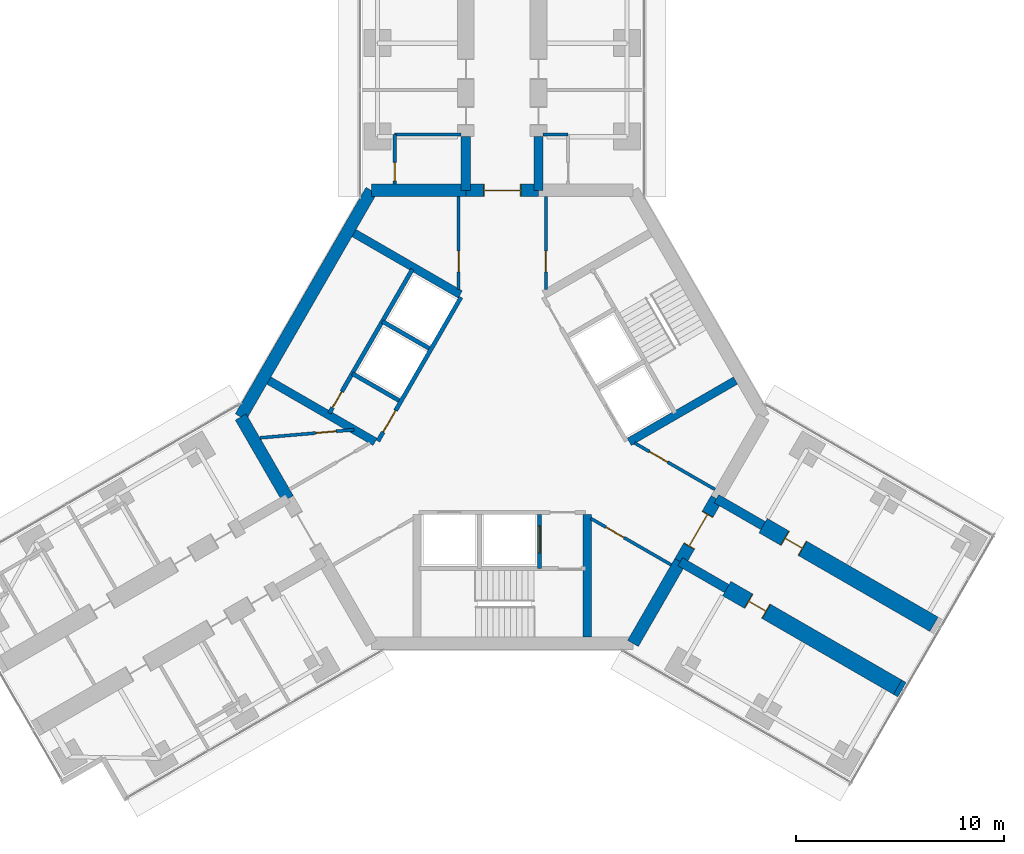
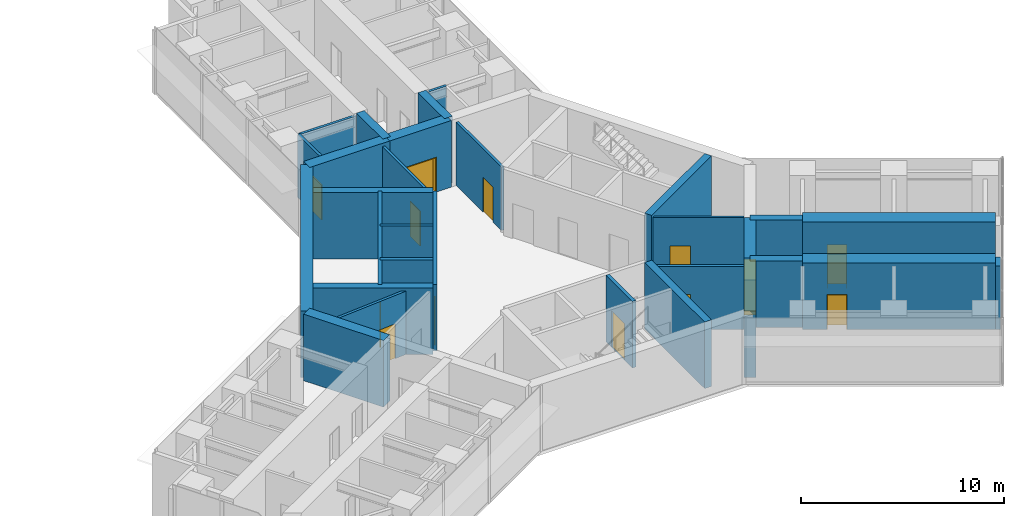
# One storey, part 19 of 22: 30 walls, 13 doors, 13 openings.
"""IFC4 building model written with IfcOpenShell, lengths in metres."""

from ifc_helpers import new_model, si_unit, direction, frame, frame_2d, origin, place, context, subcontext, project, spatial, rectangle, extrude, material, layer, layer_set, type_object, element, fill, save


model = new_model("IFC4")

# Units and contexts
model_context = context("Model", 3, precision=1e-05, world=origin(), true_north=direction((0.0, 1.0)))
body_context = subcontext(model_context, "Body", "Model", "MODEL_VIEW")
ifc_project = project(units=[si_unit("LENGTHUNIT", "METRE"), si_unit("AREAUNIT", "SQUARE_METRE"), si_unit("VOLUMEUNIT", "CUBIC_METRE"), si_unit("PLANEANGLEUNIT", "RADIAN"), si_unit("MASSUNIT", "GRAM", prefix="KILO")], contexts=[model_context])

# Site, building, storey
site_placement = place(None, origin())
site = spatial("IfcSite", under=ifc_project, at=site_placement, CompositionType="ELEMENT")
building_placement = place(site_placement, origin())
building = spatial("IfcBuilding", under=site, at=building_placement, Name="Upepo Twin Towers", CompositionType="ELEMENT")
storey_placement = place(building_placement, frame((0.0, 0.0, 133.5)))
storey = spatial("IfcBuildingStorey", under=building, at=storey_placement, Name="L32", CompositionType="ELEMENT", Elevation=133.5)

# Walls
ifc_material_1 = material(Name="Dense concrete blockwork", Category="masonry")
ifc_layer_1 = layer(ifc_material_1, 0.800048828125)
ifc_layer_set_1 = layer_set([ifc_layer_1], Name="Buttress closer 800, blockwork with fire-stopping to the curtain wall")
wall_type_1 = type_object("IfcWallType", Name="Buttress closer 800, blockwork with fire-stopping to the curtain wall", PredefinedType="PARTITIONING", material=ifc_layer_set_1)
wall_1_placement = place(storey_placement, frame((77.543701171875, -31.015625, 0.0), z_axis=(0.0, 0.0, 1.0), x_axis=(0.865827443207, -0.500342721131, 0.0)))
element("IfcWall", 1, at=wall_1_placement, inside=storey, type_object=wall_type_1, Name="T2 L32 wing C buttress closer R", PredefinedType="PARTITIONING", context=body_context, shape_type="SweptSolid", body=[
    extrude(rectangle(XDim=0.249755859375, YDim=0.800048828125, at=frame_2d((0.125, 0.0))), origin(), (0.0, 0.0, 1.0), 3.800048828125),
])
ifc_material_2 = material(Name="Concrete C60/75", Category="concrete")
ifc_layer_2 = layer(ifc_material_2, 0.449951171875)
ifc_layer_set_2 = layer_set([ifc_layer_2], Name="Concrete C60/75")
wall_type_2 = type_object("IfcWallType", Name="Buttress wall 450 RC", PredefinedType="SHEAR", material=ifc_layer_set_2)
for number, where, z_axis, x_axis, name in (
    (2, (56.75, -7.091552734375, 0.0), (0.0, 0.0, 1.0), (0.0, 1.0, 0.0), "T2 wing A buttress wall L"),
    (3, (60.25, -7.091552734375, 0.0), (0.0, 0.0, 1.0), (0.0, 1.0, 0.0), "T2 wing A buttress wall R"),
):
    element("IfcWall", number, at=place(storey_placement, frame(where, z_axis=z_axis, x_axis=x_axis)), inside=storey, type_object=wall_type_2, Name=name, PredefinedType="SHEAR", context=body_context, shape_type="SweptSolid", body=[
        extrude(rectangle(XDim=2.591552734375, YDim=0.449951171875, at=frame_2d((1.2958984375, 0.0))), origin(), (0.0, 0.0, 1.0), 4.0),
    ])
for number, where, z_axis, x_axis, name in (
    (4, (68.82177734375, -21.938720703125, 0.0), (0.0, 0.0, 1.0), (0.866072649678, -0.499918158782, 0.0), "T2 wing C buttress wall L"),
    (5, (67.07177734375, -24.9697265625, 0.0), (0.0, 0.0, 1.0), (0.866031863473, -0.499988811324, 0.0), "T2 wing C buttress wall R"),
):
    element("IfcWall", number, at=place(storey_placement, frame(where, z_axis=z_axis, x_axis=x_axis)), inside=storey, type_object=wall_type_2, Name=name, PredefinedType="SHEAR", context=body_context, shape_type="SweptSolid", body=[
        extrude(rectangle(XDim=2.591796875, YDim=0.449951171875, at=frame_2d((1.2958984375, 0.0))), origin(), (0.0, 0.0, 1.0), 4.0),
    ])

# Wall, opening, door
ifc_material_3 = material(Name="Concrete C60/75", Category="concrete")
ifc_layer_3 = layer(ifc_material_3, 0.800048828125)
ifc_layer_set_3 = layer_set([ifc_layer_3], Name="Concrete C60/75")
wall_type_3 = type_object("IfcWallType", Name="Buttress wall 800 RC", PredefinedType="SHEAR", material=ifc_layer_set_3)
wall_2_placement = place(storey_placement, frame((71.06640625, -23.234375, 0.0), z_axis=(0.0, 0.0, 1.0), x_axis=(0.86602681393, -0.499997557548, 0.0)))
wall_2 = element("IfcWall", 6, at=wall_2_placement, inside=storey, type_object=wall_type_3, Name="T2 wing C buttress wall L part 2", PredefinedType="SHEAR", context=body_context, shape_type="SweptSolid", body=[
    extrude(rectangle(XDim=9.5, YDim=0.800048828125, at=frame_2d((4.75, 0.0))), origin(), (0.0, 0.0, 1.0), 4.0),
])
opening_1_placement = place(wall_2_placement, frame((1.199951171875, 0.0, 0.0)))
opening_1 = element("IfcOpeningElement", 7, at=opening_1_placement, cuts=wall_2, Name="Opening D1", PredefinedType="OPENING", context=body_context, shape_type="SweptSolid", body=[
    extrude(rectangle(XDim=1.0, YDim=2.10009765625, at=frame_2d((0.5, 1.050048828125))), frame((0.0, 0.409912109375, 0.0), z_axis=(0.0, -1.0, 0.0), x_axis=(1.0, 0.0, 0.0)), (0.0, 0.0, 1.0), 0.820068359375),
])
ifc_material_4 = material(Name="Timber doorset", Category="wood")
door_type_1 = type_object("IfcDoorType", Name="Room door 1000 FD30", OperationType="SINGLE_SWING_LEFT", PredefinedType="DOOR", material=ifc_material_4)
door_1_placement = place(opening_1_placement, origin())
door_1 = element("IfcDoor", 8, at=door_1_placement, inside=storey, type_object=door_type_1, Name="T2 L32 staff office door", OperationType="SINGLE_SWING_LEFT", OverallHeight=2.10009765625, OverallWidth=1.0, PredefinedType="DOOR", context=body_context, shape_type="SweptSolid", body=[
    extrude(rectangle(XDim=0.92, YDim=2.06009765625, at=frame_2d((0.5, 1.030029296875))), frame((0.0, 0.02490234375, 0.0), z_axis=(0.0, -1.0, 0.0), x_axis=(1.0, 0.0, 0.0)), (0.0, 0.0, 1.0), 0.050048828125),
    extrude(rectangle(XDim=0.04, YDim=2.10009765625, at=frame_2d((0.02001953125, 1.050048828125))), frame((0.0, 0.39990234375, 0.0), z_axis=(0.0, -1.0, 0.0), x_axis=(1.0, 0.0, 0.0)), (0.0, 0.0, 1.0), 0.799560546875),
    extrude(rectangle(XDim=0.04, YDim=2.10009765625, at=frame_2d((0.97998046875, 1.050048828125))), frame((0.0, 0.39990234375, 0.0), z_axis=(0.0, -1.0, 0.0), x_axis=(1.0, 0.0, 0.0)), (0.0, 0.0, 1.0), 0.799560546875),
    extrude(rectangle(XDim=0.92, YDim=0.04, at=frame_2d((0.5, 2.080078125))), frame((0.0, 0.39990234375, 0.0), z_axis=(0.0, -1.0, 0.0), x_axis=(1.0, 0.0, 0.0)), (0.0, 0.0, 1.0), 0.799560546875),
])
fill(opening_1, door_1)

wall_3_placement = place(storey_placement, frame((69.31640625, -26.265625, 0.0), z_axis=(0.0, 0.0, 1.0), x_axis=(0.86602681393, -0.499997557548, 0.0)))
wall_3 = element("IfcWall", 9, at=wall_3_placement, inside=storey, type_object=wall_type_3, Name="T2 wing C buttress wall R part 2", PredefinedType="SHEAR", context=body_context, shape_type="SweptSolid", body=[
    extrude(rectangle(XDim=9.5, YDim=0.800048828125, at=frame_2d((4.75, 0.0))), origin(), (0.0, 0.0, 1.0), 4.0),
])
opening_2_placement = place(wall_3_placement, frame((1.199951171875, 0.0, 0.0)))
opening_2 = element("IfcOpeningElement", 10, at=opening_2_placement, cuts=wall_3, Name="Opening D1", PredefinedType="OPENING", context=body_context, shape_type="SweptSolid", body=[
    extrude(rectangle(XDim=1.0, YDim=2.10009765625, at=frame_2d((0.5, 1.050048828125))), frame((0.0, 0.409912109375, 0.0), z_axis=(0.0, -1.0, 0.0), x_axis=(1.0, 0.0, 0.0)), (0.0, 0.0, 1.0), 0.820068359375),
])
door_2_placement = place(opening_2_placement, origin())
door_2 = element("IfcDoor", 11, at=door_2_placement, inside=storey, type_object=door_type_1, Name="T2 L32 staff office door", OperationType="SINGLE_SWING_LEFT", OverallHeight=2.10009765625, OverallWidth=1.0, PredefinedType="DOOR", context=body_context, shape_type="SweptSolid", body=[
    extrude(rectangle(XDim=0.92, YDim=2.06009765625, at=frame_2d((0.5, 1.030029296875))), frame((0.0, 0.02490234375, 0.0), z_axis=(0.0, -1.0, 0.0), x_axis=(1.0, 0.0, 0.0)), (0.0, 0.0, 1.0), 0.050048828125),
    extrude(rectangle(XDim=0.04, YDim=2.10009765625, at=frame_2d((0.02001953125, 1.050048828125))), frame((0.0, 0.39990234375, 0.0), z_axis=(0.0, -1.0, 0.0), x_axis=(1.0, 0.0, 0.0)), (0.0, 0.0, 1.0), 0.799560546875),
    extrude(rectangle(XDim=0.04, YDim=2.10009765625, at=frame_2d((0.97998046875, 1.050048828125))), frame((0.0, 0.39990234375, 0.0), z_axis=(0.0, -1.0, 0.0), x_axis=(1.0, 0.0, 0.0)), (0.0, 0.0, 1.0), 0.799560546875),
    extrude(rectangle(XDim=0.92, YDim=0.04, at=frame_2d((0.5, 2.080078125))), frame((0.0, 0.39990234375, 0.0), z_axis=(0.0, -1.0, 0.0), x_axis=(1.0, 0.0, 0.0)), (0.0, 0.0, 1.0), 0.799560546875),
])
fill(opening_2, door_2)

ifc_material_5 = material(Name="Concrete C60/75", Category="concrete")
ifc_layer_4 = layer(ifc_material_5, 0.60009765625)
ifc_layer_set_4 = layer_set([ifc_layer_4], Name="Concrete C60/75")
wall_type_4 = type_object("IfcWallType", Name="Core wall 600 RC", PredefinedType="SHEAR", material=ifc_layer_set_4)
wall_4_placement = place(storey_placement, frame((60.25, -7.091552734375, 0.0), z_axis=(0.0, 0.0, 1.0), x_axis=(-1.0, 0.0, 0.0)))
wall_4 = element("IfcWall", 12, at=wall_4_placement, inside=storey, type_object=wall_type_4, Name="T2 core wall 000", PredefinedType="SHEAR", context=body_context, shape_type="SweptSolid", body=[
    extrude(rectangle(XDim=3.5, YDim=0.60009765625, at=frame_2d((1.75, 0.0))), origin(), (0.0, 0.0, 1.0), 4.0),
])
opening_3_placement = place(wall_4_placement, frame((0.85009765625, 0.0, 0.0)))
opening_3 = element("IfcOpeningElement", 13, at=opening_3_placement, cuts=wall_4, Name="Opening D2", PredefinedType="OPENING", context=body_context, shape_type="SweptSolid", body=[
    extrude(rectangle(XDim=1.800048828125, YDim=2.10009765625, at=frame_2d((0.89990234375, 1.050048828125))), frame((0.0, 0.31005859375, 0.0), z_axis=(0.0, -1.0, 0.0), x_axis=(1.0, 0.0, 0.0)), (0.0, 0.0, 1.0), 0.6201171875),
])
ifc_material_6 = material(Name="Timber doorset", Category="wood")
door_type_2 = type_object("IfcDoorType", Name="Corridor double door 1800 FD60", OperationType="DOUBLE_DOOR_DOUBLE_SWING", PredefinedType="DOOR", material=ifc_material_6)
door_3_placement = place(opening_3_placement, origin())
door_3 = element("IfcDoor", 14, at=door_3_placement, inside=storey, type_object=door_type_2, Name="T2 L32 wing A corridor door", OperationType="DOUBLE_DOOR_DOUBLE_SWING", OverallHeight=2.10009765625, OverallWidth=1.800048828125, PredefinedType="DOOR", context=body_context, shape_type="SweptSolid", body=[
    extrude(rectangle(XDim=1.720048828125, YDim=2.06009765625, at=frame_2d((0.89990234375, 1.030029296875))), frame((0.0, 0.02490234375, 0.0), z_axis=(0.0, -1.0, 0.0), x_axis=(1.0, 0.0, 0.0)), (0.0, 0.0, 1.0), 0.050048828125),
    extrude(rectangle(XDim=0.04, YDim=2.10009765625, at=frame_2d((0.02001953125, 1.050048828125))), frame((0.0, 0.2998046875, 0.0), z_axis=(0.0, -1.0, 0.0), x_axis=(1.0, 0.0, 0.0)), (0.0, 0.0, 1.0), 0.599609375),
    extrude(rectangle(XDim=0.04, YDim=2.10009765625, at=frame_2d((1.780029296875, 1.050048828125))), frame((0.0, 0.2998046875, 0.0), z_axis=(0.0, -1.0, 0.0), x_axis=(1.0, 0.0, 0.0)), (0.0, 0.0, 1.0), 0.599609375),
    extrude(rectangle(XDim=1.720048828125, YDim=0.04, at=frame_2d((0.89990234375, 2.080078125))), frame((0.0, 0.2998046875, 0.0), z_axis=(0.0, -1.0, 0.0), x_axis=(1.0, 0.0, 0.0)), (0.0, 0.0, 1.0), 0.599609375),
])
fill(opening_3, door_3)

# Walls
wall_5_placement = place(storey_placement, frame((56.75, -7.091552734375, 0.0), z_axis=(0.0, 0.0, 1.0), x_axis=(-1.0, 0.0, 0.0)))
element("IfcWall", 15, at=wall_5_placement, inside=storey, type_object=wall_type_4, Name="T2 core wall 000 L", PredefinedType="SHEAR", context=body_context, shape_type="SweptSolid", body=[
    extrude(rectangle(XDim=4.5478515625, YDim=0.60009765625, at=frame_2d((2.27392578125, 0.0))), origin(), (0.0, 0.0, 1.0), 4.0),
])
wall_6_placement = place(storey_placement, frame((52.2021484375, -7.091552734375, 0.0), z_axis=(0.0, 0.0, 1.0), x_axis=(-0.500005998175, -0.866021940709, 0.0)))
element("IfcWall", 16, at=wall_6_placement, inside=storey, type_object=wall_type_4, Name="T2 core wall 060", PredefinedType="SHEAR", context=body_context, shape_type="SweptSolid", body=[
    extrude(rectangle(XDim=12.595947265625, YDim=0.60009765625, at=frame_2d((6.2978515625, 0.0))), origin(), (0.0, 0.0, 1.0), 4.0),
])
for number, where, z_axis, x_axis, name in (
    (17, (45.904052734375, -18.0, 0.0), (0.0, 0.0, 1.0), (0.500024481964, -0.866011268655, 0.0), "T2 core wall 120 R"),
    (18, (64.7978515625, -28.908447265625, 0.0), (0.0, 0.0, 1.0), (0.499984222037, 0.866034513004, 0.0), "T2 core wall 240 R"),
):
    element("IfcWall", number, at=place(storey_placement, frame(where, z_axis=z_axis, x_axis=x_axis)), inside=storey, type_object=wall_type_4, Name=name, PredefinedType="SHEAR", context=body_context, shape_type="SweptSolid", body=[
        extrude(rectangle(XDim=4.548095703125, YDim=0.60009765625, at=frame_2d((2.27392578125, 0.0))), origin(), (0.0, 0.0, 1.0), 4.0),
    ])

# Wall, opening, door
wall_7_placement = place(storey_placement, frame((67.07177734375, -24.9697265625, 0.0), z_axis=(0.0, 0.0, 1.0), x_axis=(0.500010275428, 0.866019471182, 0.0)))
wall_7 = element("IfcWall", 19, at=wall_7_placement, inside=storey, type_object=wall_type_4, Name="T2 core wall 240", PredefinedType="SHEAR", context=body_context, shape_type="SweptSolid", body=[
    extrude(rectangle(XDim=3.5, YDim=0.60009765625, at=frame_2d((1.75, 0.0))), origin(), (0.0, 0.0, 1.0), 4.0),
])
opening_4_placement = place(wall_7_placement, frame((0.85009765625, 0.0, 0.0)))
opening_4 = element("IfcOpeningElement", 20, at=opening_4_placement, cuts=wall_7, Name="Opening D2", PredefinedType="OPENING", context=body_context, shape_type="SweptSolid", body=[
    extrude(rectangle(XDim=1.800048828125, YDim=2.10009765625, at=frame_2d((0.89990234375, 1.050048828125))), frame((0.0, 0.31005859375, 0.0), z_axis=(0.0, -1.0, 0.0), x_axis=(1.0, 0.0, 0.0)), (0.0, 0.0, 1.0), 0.6201171875),
])
door_4_placement = place(opening_4_placement, origin())
door_4 = element("IfcDoor", 21, at=door_4_placement, inside=storey, type_object=door_type_2, Name="T2 L32 wing C corridor door", OperationType="DOUBLE_DOOR_DOUBLE_SWING", OverallHeight=2.10009765625, OverallWidth=1.800048828125, PredefinedType="DOOR", context=body_context, shape_type="SweptSolid", body=[
    extrude(rectangle(XDim=1.720048828125, YDim=2.06009765625, at=frame_2d((0.89990234375, 1.030029296875))), frame((0.0, 0.02490234375, 0.0), z_axis=(0.0, -1.0, 0.0), x_axis=(1.0, 0.0, 0.0)), (0.0, 0.0, 1.0), 0.050048828125),
    extrude(rectangle(XDim=0.04, YDim=2.10009765625, at=frame_2d((0.02001953125, 1.050048828125))), frame((0.0, 0.2998046875, 0.0), z_axis=(0.0, -1.0, 0.0), x_axis=(1.0, 0.0, 0.0)), (0.0, 0.0, 1.0), 0.599609375),
    extrude(rectangle(XDim=0.04, YDim=2.10009765625, at=frame_2d((1.780029296875, 1.050048828125))), frame((0.0, 0.2998046875, 0.0), z_axis=(0.0, -1.0, 0.0), x_axis=(1.0, 0.0, 0.0)), (0.0, 0.0, 1.0), 0.599609375),
    extrude(rectangle(XDim=1.720048828125, YDim=0.04, at=frame_2d((0.89990234375, 2.080078125))), frame((0.0, 0.2998046875, 0.0), z_axis=(0.0, -1.0, 0.0), x_axis=(1.0, 0.0, 0.0)), (0.0, 0.0, 1.0), 0.599609375),
])
fill(opening_4, door_4)

ifc_material_7 = material(Name="Concrete C40/50", Category="concrete")
ifc_layer_5 = layer(ifc_material_7, 0.199951171875)
ifc_layer_set_5 = layer_set([ifc_layer_5], Name="Concrete C40/50")
wall_type_5 = type_object("IfcWallType", Name="Shaft wall 200 RC", PredefinedType="SHEAR", material=ifc_layer_set_5)
wall_8_placement = place(storey_placement, frame((56.516357421875, -12.23583984375, 0.0), z_axis=(0.0, 0.0, 1.0), x_axis=(-0.49999894854, -0.866026010844, 0.0)))
wall_8 = element("IfcWall", 22, at=wall_8_placement, inside=storey, type_object=wall_type_5, Name="T2 core W60 front wall", PredefinedType="SHEAR", context=body_context, shape_type="SweptSolid", body=[
    extrude(rectangle(XDim=8.0, YDim=0.199951171875, at=frame_2d((4.0, 0.0))), origin(), (0.0, 0.0, 1.0), 4.0),
])
opening_5_placement = place(wall_8_placement, frame((6.300048828125, 0.0, 0.0)))
opening_5 = element("IfcOpeningElement", 23, at=opening_5_placement, cuts=wall_8, Name="Opening D4", PredefinedType="OPENING", context=body_context, shape_type="SweptSolid", body=[
    extrude(rectangle(XDim=1.199951171875, YDim=2.10009765625, at=frame_2d((0.60009765625, 1.050048828125))), frame((0.0, 0.10986328125, 0.0), z_axis=(0.0, -1.0, 0.0), x_axis=(1.0, 0.0, 0.0)), (0.0, 0.0, 1.0), 0.219970703125),
])
ifc_material_8 = material(Name="Timber doorset", Category="wood")
door_type_3 = type_object("IfcDoorType", Name="Lobby door 1200 FD60", OperationType="SINGLE_SWING_LEFT", PredefinedType="DOOR", material=ifc_material_8)
door_5_placement = place(opening_5_placement, origin())
door_5 = element("IfcDoor", 24, at=door_5_placement, inside=storey, type_object=door_type_3, Name="T2 L32 W60 lobby door", OperationType="SINGLE_SWING_RIGHT", OverallHeight=2.10009765625, OverallWidth=1.199951171875, PredefinedType="DOOR", context=body_context, shape_type="SweptSolid", body=[
    extrude(rectangle(XDim=1.199951171875, YDim=2.10009765625, at=frame_2d((0.60009765625, 1.050048828125))), frame((0.0, 0.02490234375, 0.0), z_axis=(0.0, -1.0, 0.0), x_axis=(1.0, 0.0, 0.0)), (0.0, 0.0, 1.0), 0.050048828125),
])
fill(opening_5, door_5)

# Walls
for number, where, z_axis, x_axis, name in (
    (25, (54.979736328125, -14.697265625, 0.0), (0.0, 0.0, 1.0), (-0.866062058628, 0.499936506574, 0.0), "T2 core W60 shaft divider"),
    (26, (53.52978515625, -17.208740234375, 0.0), (0.0, 0.0, 1.0), (-0.866062058628, 0.499936506574, 0.0), "T2 core W60 lobby wall"),
):
    element("IfcWall", number, at=place(storey_placement, frame(where, z_axis=z_axis, x_axis=x_axis)), inside=storey, type_object=wall_type_5, Name=name, PredefinedType="SHEAR", context=body_context, shape_type="SweptSolid", body=[
        extrude(rectangle(XDim=2.599853515625, YDim=0.199951171875, at=frame_2d((1.2998046875, 0.0))), origin(), (0.0, 0.0, 1.0), 4.0),
    ])

# Wall, opening, door
wall_9_placement = place(storey_placement, frame((54.177978515625, -10.885986328125, 0.0), z_axis=(0.0, 0.0, 1.0), x_axis=(-0.49999894854, -0.866026010844, 0.0)))
wall_9 = element("IfcWall", 27, at=wall_9_placement, inside=storey, type_object=wall_type_5, Name="T2 core W60 stair wall", PredefinedType="SHEAR", context=body_context, shape_type="SweptSolid", body=[
    extrude(rectangle(XDim=8.0, YDim=0.199951171875, at=frame_2d((4.0, 0.0))), origin(), (0.0, 0.0, 1.0), 4.0),
])
opening_6_placement = place(wall_9_placement, frame((6.800048828125, 0.0, 0.0)))
opening_6 = element("IfcOpeningElement", 28, at=opening_6_placement, cuts=wall_9, Name="Opening D9", PredefinedType="OPENING", context=body_context, shape_type="SweptSolid", body=[
    extrude(rectangle(XDim=0.89990234375, YDim=2.10009765625, at=frame_2d((0.449951171875, 1.050048828125))), frame((0.0, 0.10986328125, 0.0), z_axis=(0.0, -1.0, 0.0), x_axis=(1.0, 0.0, 0.0)), (0.0, 0.0, 1.0), 0.219970703125),
])
ifc_material_9 = material(Name="Timber doorset", Category="wood")
door_type_4 = type_object("IfcDoorType", Name="Riser door 900 FD60", OperationType="SINGLE_SWING_LEFT", PredefinedType="DOOR", material=ifc_material_9)
door_6_placement = place(opening_6_placement, origin())
door_6 = element("IfcDoor", 29, at=door_6_placement, inside=storey, type_object=door_type_4, Name="T2 L32 riser door", OperationType="SINGLE_SWING_RIGHT", OverallHeight=2.10009765625, OverallWidth=0.89990234375, PredefinedType="DOOR", context=body_context, shape_type="SweptSolid", body=[
    extrude(rectangle(XDim=0.89990234375, YDim=2.10009765625, at=frame_2d((0.449951171875, 1.050048828125))), frame((0.0, 0.02490234375, 0.0), z_axis=(0.0, -1.0, 0.0), x_axis=(1.0, 0.0, 0.0)), (0.0, 0.0, 1.0), 0.050048828125),
])
fill(opening_6, door_6)

wall_10_placement = place(storey_placement, frame((60.300048828125, -22.699951171875, 0.0), z_axis=(0.0, 0.0, 1.0), x_axis=(0.0, -1.0, 0.0)))
wall_10 = element("IfcWall", 30, at=wall_10_placement, inside=storey, type_object=wall_type_5, Name="T2 core W180 lobby wall", PredefinedType="SHEAR", context=body_context, shape_type="SweptSolid", body=[
    extrude(rectangle(XDim=2.60009765625, YDim=0.199951171875, at=frame_2d((1.300048828125, 0.0))), origin(), (0.0, 0.0, 1.0), 4.0),
])
opening_7_placement = place(wall_10_placement, frame((0.550048828125, 0.0, 0.0)))
opening_7 = element("IfcOpeningElement", 31, at=opening_7_placement, cuts=wall_10, Name="Opening LD2", PredefinedType="OPENING", context=body_context, shape_type="SweptSolid", body=[
    extrude(rectangle(XDim=1.300048828125, YDim=2.199951171875, at=frame_2d((0.64990234375, 1.10009765625))), frame((0.0, 0.10986328125, 0.0), z_axis=(0.0, -1.0, 0.0), x_axis=(1.0, 0.0, 0.0)), (0.0, 0.0, 1.0), 0.219970703125),
])
ifc_material_10 = material(Name="Steel doorset", Category="steel")
door_type_5 = type_object("IfcDoorType", Name="Firefighting lift landing door 1300", OperationType="DOUBLE_DOOR_SLIDING", PredefinedType="DOOR", material=ifc_material_10)
door_7_placement = place(opening_7_placement, origin())
door_7 = element("IfcDoor", 32, at=door_7_placement, inside=storey, type_object=door_type_5, Name="T2 L32 firefighting lift landing door", OperationType="DOUBLE_DOOR_SLIDING", OverallHeight=2.199951171875, OverallWidth=1.300048828125, PredefinedType="DOOR", context=body_context, shape_type="SweptSolid", body=[
    extrude(rectangle(XDim=1.300048828125, YDim=2.199951171875, at=frame_2d((0.64990234375, 1.10009765625))), frame((0.0, 0.02490234375, 0.0), z_axis=(0.0, -1.0, 0.0), x_axis=(1.0, 0.0, 0.0)), (0.0, 0.0, 1.0), 0.050048828125),
])
fill(opening_7, door_7)

# Walls
ifc_material_11 = material(Name="Concrete C40/50", Category="concrete")
ifc_layer_6 = layer(ifc_material_11, 0.39990234375)
ifc_layer_set_6 = layer_set([ifc_layer_6], Name="Concrete C40/50")
wall_type_6 = type_object("IfcWallType", Name="Shaft wall 400 RC", PredefinedType="SHEAR", material=ifc_layer_set_6)
wall_11_placement = place(storey_placement, frame((52.379638671875, -19.20068359375, 0.0), z_axis=(0.0, 0.0, 1.0), x_axis=(-0.866027317282, 0.49999668571, 0.0)))
element("IfcWall", 33, at=wall_11_placement, inside=storey, type_object=wall_type_6, Name="T2 core W60 side wall N", PredefinedType="SHEAR", context=body_context, shape_type="SweptSolid", body=[
    extrude(rectangle(XDim=5.908203125, YDim=0.39990234375, at=frame_2d((2.9541015625, 0.0))), origin(), (0.0, 0.0, 1.0), 4.0),
])
for number, where, z_axis, x_axis, name in (
    (34, (56.479736328125, -12.099365234375, 0.0), (0.0, 0.0, 1.0), (-0.866009424208, 0.500027676417, 0.0), "T2 core W60 side wall S"),
    (35, (62.60009765625, -22.699951171875, 0.0), (0.0, 0.0, 1.0), (0.0, -1.0, 0.0), "T2 core W180 side wall N"),
):
    element("IfcWall", number, at=place(storey_placement, frame(where, z_axis=z_axis, x_axis=x_axis)), inside=storey, type_object=wall_type_6, Name=name, PredefinedType="SHEAR", context=body_context, shape_type="SweptSolid", body=[
        extrude(rectangle(XDim=5.908447265625, YDim=0.39990234375, at=frame_2d((2.9541015625, 0.0))), origin(), (0.0, 0.0, 1.0), 4.0),
    ])
wall_12_placement = place(storey_placement, frame((64.620361328125, -19.20068359375, 0.0), z_axis=(0.0, 0.0, 1.0), x_axis=(0.866027317282, 0.49999668571, 0.0)))
element("IfcWall", 36, at=wall_12_placement, inside=storey, type_object=wall_type_6, Name="T2 core W300 side wall S", PredefinedType="SHEAR", context=body_context, shape_type="SweptSolid", body=[
    extrude(rectangle(XDim=5.908203125, YDim=0.39990234375, at=frame_2d((2.9541015625, 0.0))), origin(), (0.0, 0.0, 1.0), 4.0),
])

# Wall, opening, door
ifc_material_12 = material(Name="Gypsum board on steel studs", Category="steel")
ifc_layer_7 = layer(ifc_material_12, 0.14990234375)
ifc_layer_set_7 = layer_set([ifc_layer_7], Name="Teaching partition 150 acoustic")
wall_type_7 = type_object("IfcWallType", Name="Teaching partition 150 acoustic", PredefinedType="PARTITIONING", material=ifc_layer_set_7)
wall_13_placement = place(storey_placement, frame((53.324951171875, -6.7919921875, 0.0), z_axis=(0.0, 0.0, 1.0), x_axis=(0.0, 1.0, 0.0)))
wall_13 = element("IfcWall", 37, at=wall_13_placement, inside=storey, type_object=wall_type_7, Name="T2 WC bay partition AL at 11.21", PredefinedType="PARTITIONING", context=body_context, shape_type="SweptSolid", body=[
    extrude(rectangle(XDim=2.39990234375, YDim=0.14990234375, at=frame_2d((1.199951171875, 0.0))), origin(), (0.0, 0.0, 1.0), 3.800048828125),
])
opening_8_placement = place(wall_13_placement, frame((0.14990234375, 0.0, 0.0)))
opening_8 = element("IfcOpeningElement", 38, at=opening_8_placement, cuts=wall_13, Name="Opening D14", PredefinedType="OPENING", context=body_context, shape_type="SweptSolid", body=[
    extrude(rectangle(XDim=0.89990234375, YDim=2.10009765625, at=frame_2d((0.449951171875, 1.050048828125))), frame((0.0, 0.0849609375, 0.0), z_axis=(0.0, -1.0, 0.0), x_axis=(1.0, 0.0, 0.0)), (0.0, 0.0, 1.0), 0.169921875),
])
ifc_material_13 = material(Name="Timber doorset", Category="wood")
door_type_6 = type_object("IfcDoorType", Name="Office door 900 FD30", OperationType="SINGLE_SWING_LEFT", PredefinedType="DOOR", material=ifc_material_13)
door_8_placement = place(opening_8_placement, origin())
door_8 = element("IfcDoor", 39, at=door_8_placement, inside=storey, type_object=door_type_6, Name="T2 L32 WC bay inner room door", OperationType="SINGLE_SWING_LEFT", OverallHeight=2.10009765625, OverallWidth=0.89990234375, PredefinedType="DOOR", context=body_context, shape_type="SweptSolid", body=[
    extrude(rectangle(XDim=0.89990234375, YDim=2.10009765625, at=frame_2d((0.449951171875, 1.050048828125))), frame((0.0, 0.02490234375, 0.0), z_axis=(0.0, -1.0, 0.0), x_axis=(1.0, 0.0, 0.0)), (0.0, 0.0, 1.0), 0.050048828125),
])
fill(opening_8, door_8)

# Walls
wall_14_placement = place(storey_placement, frame((56.52490234375, -4.39208984375, 0.0), z_axis=(0.0, 0.0, 1.0), x_axis=(-1.0, 0.0, 0.0)))
element("IfcWall", 40, at=wall_14_placement, inside=storey, type_object=wall_type_7, Name="T2 WC bay partition AL end at 13.61", PredefinedType="PARTITIONING", context=body_context, shape_type="SweptSolid", body=[
    extrude(rectangle(XDim=3.199951171875, YDim=0.14990234375, at=frame_2d((1.60009765625, 0.0))), origin(), (0.0, 0.0, 1.0), 3.800048828125),
])
wall_15_placement = place(storey_placement, frame((60.47509765625, -4.39208984375, 0.0), z_axis=(0.0, 0.0, 1.0), x_axis=(1.0, 0.0, 0.0)))
element("IfcWall", 41, at=wall_15_placement, inside=storey, type_object=wall_type_7, Name="T2 WC bay partition AR end at 13.61", PredefinedType="PARTITIONING", context=body_context, shape_type="SweptSolid", body=[
    extrude(rectangle(XDim=1.199951171875, YDim=0.14990234375, at=frame_2d((0.60009765625, 0.0))), origin(), (0.0, 0.0, 1.0), 3.800048828125),
])

# Wall, opening, door
wall_16_placement = place(storey_placement, frame((56.39990234375, -11.857421875, 0.0), z_axis=(0.0, 0.0, 1.0), x_axis=(0.0, 1.0, 0.0)))
wall_16 = element("IfcWall", 42, at=wall_16_placement, inside=storey, type_object=wall_type_7, Name="T2 core room partition 2", PredefinedType="PARTITIONING", context=body_context, shape_type="SweptSolid", body=[
    extrude(rectangle(XDim=4.475830078125, YDim=0.14990234375, at=frame_2d((2.23779296875, 0.0))), origin(), (0.0, 0.0, 1.0), 3.800048828125),
])
opening_9_placement = place(wall_16_placement, frame((0.8427734375, 0.0, 0.0)))
opening_9 = element("IfcOpeningElement", 43, at=opening_9_placement, cuts=wall_16, Name="Opening D1", PredefinedType="OPENING", context=body_context, shape_type="SweptSolid", body=[
    extrude(rectangle(XDim=1.0, YDim=2.10009765625, at=frame_2d((0.5, 1.050048828125))), frame((0.0, 0.0849609375, 0.0), z_axis=(0.0, -1.0, 0.0), x_axis=(1.0, 0.0, 0.0)), (0.0, 0.0, 1.0), 0.169921875),
])
door_9_placement = place(opening_9_placement, origin())
door_9 = element("IfcDoor", 44, at=door_9_placement, inside=storey, type_object=door_type_1, Name="T2 L32 core room door K7", OperationType="SINGLE_SWING_LEFT", OverallHeight=2.10009765625, OverallWidth=1.0, PredefinedType="DOOR", context=body_context, shape_type="SweptSolid", body=[
    extrude(rectangle(XDim=1.0, YDim=2.10009765625, at=frame_2d((0.5, 1.050048828125))), frame((0.0, 0.02490234375, 0.0), z_axis=(0.0, -1.0, 0.0), x_axis=(1.0, 0.0, 0.0)), (0.0, 0.0, 1.0), 0.050048828125),
])
fill(opening_9, door_9)

wall_17_placement = place(storey_placement, frame((60.60009765625, -7.381591796875, 0.0), z_axis=(0.0, 0.0, 1.0), x_axis=(0.0, -1.0, 0.0)))
wall_17 = element("IfcWall", 45, at=wall_17_placement, inside=storey, type_object=wall_type_7, Name="T2 core room partition 3", PredefinedType="PARTITIONING", context=body_context, shape_type="SweptSolid", body=[
    extrude(rectangle(XDim=4.475830078125, YDim=0.14990234375, at=frame_2d((2.23779296875, 0.0))), origin(), (0.0, 0.0, 1.0), 3.800048828125),
])
opening_10_placement = place(wall_17_placement, frame((2.6328125, 0.0, 0.0)))
opening_10 = element("IfcOpeningElement", 46, at=opening_10_placement, cuts=wall_17, Name="Opening D1", PredefinedType="OPENING", context=body_context, shape_type="SweptSolid", body=[
    extrude(rectangle(XDim=1.0, YDim=2.10009765625, at=frame_2d((0.5, 1.050048828125))), frame((0.0, 0.0849609375, 0.0), z_axis=(0.0, -1.0, 0.0), x_axis=(1.0, 0.0, 0.0)), (0.0, 0.0, 1.0), 0.169921875),
])
door_10_placement = place(opening_10_placement, origin())
door_10 = element("IfcDoor", 47, at=door_10_placement, inside=storey, type_object=door_type_1, Name="T2 L32 core room door K6", OperationType="SINGLE_SWING_RIGHT", OverallHeight=2.10009765625, OverallWidth=1.0, PredefinedType="DOOR", context=body_context, shape_type="SweptSolid", body=[
    extrude(rectangle(XDim=1.0, YDim=2.10009765625, at=frame_2d((0.5, 1.050048828125))), frame((0.0, 0.02490234375, 0.0), z_axis=(0.0, -1.0, 0.0), x_axis=(1.0, 0.0, 0.0)), (0.0, 0.0, 1.0), 0.050048828125),
])
fill(opening_10, door_10)

wall_18_placement = place(storey_placement, frame((64.86962890625, -19.252685546875, 0.0), z_axis=(0.0, 0.0, 1.0), x_axis=(0.866025707867, -0.499999473313, 0.0)))
wall_18 = element("IfcWall", 48, at=wall_18_placement, inside=storey, type_object=wall_type_7, Name="T2 core room partition 4", PredefinedType="PARTITIONING", context=body_context, shape_type="SweptSolid", body=[
    extrude(rectangle(XDim=4.4755859375, YDim=0.14990234375, at=frame_2d((2.23779296875, 0.0))), origin(), (0.0, 0.0, 1.0), 3.800048828125),
])
opening_11_placement = place(wall_18_placement, frame((0.8427734375, 0.0, 0.0)))
opening_11 = element("IfcOpeningElement", 49, at=opening_11_placement, cuts=wall_18, Name="Opening D1", PredefinedType="OPENING", context=body_context, shape_type="SweptSolid", body=[
    extrude(rectangle(XDim=1.0, YDim=2.10009765625, at=frame_2d((0.5, 1.050048828125))), frame((0.0, 0.0849609375, 0.0), z_axis=(0.0, -1.0, 0.0), x_axis=(1.0, 0.0, 0.0)), (0.0, 0.0, 1.0), 0.169921875),
])
door_11_placement = place(opening_11_placement, origin())
door_11 = element("IfcDoor", 50, at=door_11_placement, inside=storey, type_object=door_type_1, Name="T2 L32 core room door K5", OperationType="SINGLE_SWING_LEFT", OverallHeight=2.10009765625, OverallWidth=1.0, PredefinedType="DOOR", context=body_context, shape_type="SweptSolid", body=[
    extrude(rectangle(XDim=1.0, YDim=2.10009765625, at=frame_2d((0.5, 1.050048828125))), frame((0.0, 0.02490234375, 0.0), z_axis=(0.0, -1.0, 0.0), x_axis=(1.0, 0.0, 0.0)), (0.0, 0.0, 1.0), 0.050048828125),
])
fill(opening_11, door_11)

wall_19_placement = place(storey_placement, frame((66.645751953125, -25.127685546875, 0.0), z_axis=(0.0, 0.0, 1.0), x_axis=(-0.866025707867, 0.499999473313, 0.0)))
wall_19 = element("IfcWall", 51, at=wall_19_placement, inside=storey, type_object=wall_type_7, Name="T2 core room partition 5", PredefinedType="PARTITIONING", context=body_context, shape_type="SweptSolid", body=[
    extrude(rectangle(XDim=4.4755859375, YDim=0.14990234375, at=frame_2d((2.23779296875, 0.0))), origin(), (0.0, 0.0, 1.0), 3.800048828125),
])
opening_12_placement = place(wall_19_placement, frame((2.633056640625, 0.0, 0.0)))
opening_12 = element("IfcOpeningElement", 52, at=opening_12_placement, cuts=wall_19, Name="Opening D1", PredefinedType="OPENING", context=body_context, shape_type="SweptSolid", body=[
    extrude(rectangle(XDim=1.0, YDim=2.10009765625, at=frame_2d((0.5, 1.050048828125))), frame((0.0, 0.0849609375, 0.0), z_axis=(0.0, -1.0, 0.0), x_axis=(1.0, 0.0, 0.0)), (0.0, 0.0, 1.0), 0.169921875),
])
door_12_placement = place(opening_12_placement, origin())
door_12 = element("IfcDoor", 53, at=door_12_placement, inside=storey, type_object=door_type_1, Name="T2 L32 core room door K4", OperationType="SINGLE_SWING_RIGHT", OverallHeight=2.10009765625, OverallWidth=1.0, PredefinedType="DOOR", context=body_context, shape_type="SweptSolid", body=[
    extrude(rectangle(XDim=1.0, YDim=2.10009765625, at=frame_2d((0.5, 1.050048828125))), frame((0.0, 0.02490234375, 0.0), z_axis=(0.0, -1.0, 0.0), x_axis=(1.0, 0.0, 0.0)), (0.0, 0.0, 1.0), 0.050048828125),
])
fill(opening_12, door_12)

wall_20_placement = place(storey_placement, frame((51.366943359375, -18.6162109375, 0.0), z_axis=(0.0, 0.0, 1.0), x_axis=(-0.996291540593, -0.086041653535, 0.0)))
wall_20 = element("IfcWall", 54, at=wall_20_placement, inside=storey, type_object=wall_type_7, Name="T2 core room partition 7", PredefinedType="PARTITIONING", context=body_context, shape_type="SweptSolid", body=[
    extrude(rectangle(XDim=4.55126953125, YDim=0.14990234375, at=frame_2d((2.275634765625, 0.0))), origin(), (0.0, 0.0, 1.0), 3.800048828125),
])
opening_13_placement = place(wall_20_placement, frame((0.865478515625, 0.0, 0.0)))
opening_13 = element("IfcOpeningElement", 55, at=opening_13_placement, cuts=wall_20, Name="Opening D1", PredefinedType="OPENING", context=body_context, shape_type="SweptSolid", body=[
    extrude(rectangle(XDim=1.0, YDim=2.10009765625, at=frame_2d((0.5, 1.050048828125))), frame((0.0, 0.0849609375, 0.0), z_axis=(0.0, -1.0, 0.0), x_axis=(1.0, 0.0, 0.0)), (0.0, 0.0, 1.0), 0.169921875),
])
door_13_placement = place(opening_13_placement, origin())
door_13 = element("IfcDoor", 56, at=door_13_placement, inside=storey, type_object=door_type_1, Name="T2 L32 core room door K1", OperationType="SINGLE_SWING_LEFT", OverallHeight=2.10009765625, OverallWidth=1.0, PredefinedType="DOOR", context=body_context, shape_type="SweptSolid", body=[
    extrude(rectangle(XDim=1.0, YDim=2.10009765625, at=frame_2d((0.5, 1.050048828125))), frame((0.0, 0.02490234375, 0.0), z_axis=(0.0, -1.0, 0.0), x_axis=(1.0, 0.0, 0.0)), (0.0, 0.0, 1.0), 0.050048828125),
])
fill(opening_13, door_13)

save(model, "model.ifc")
